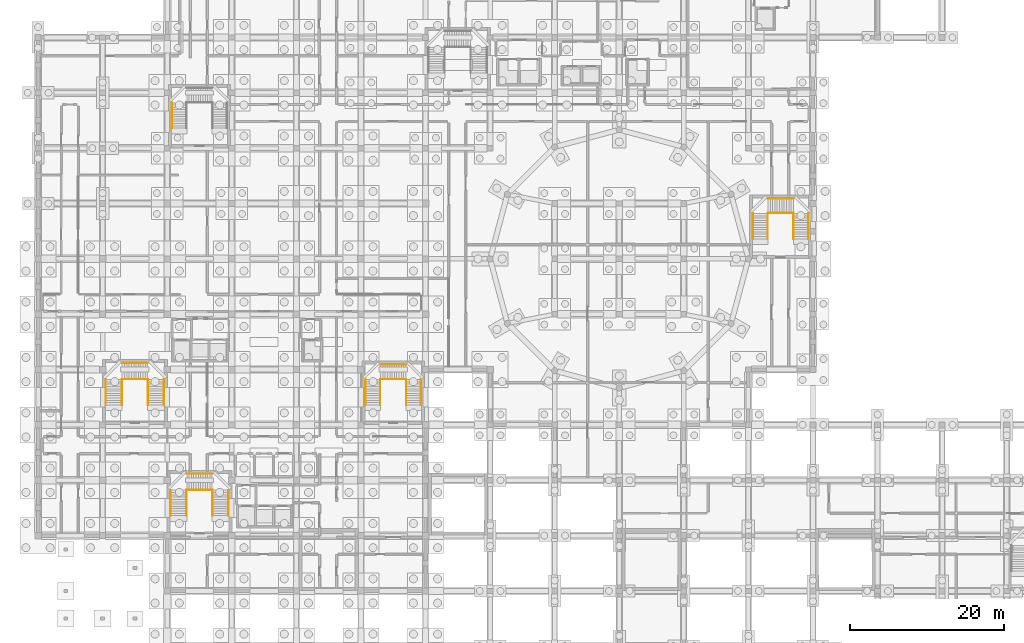
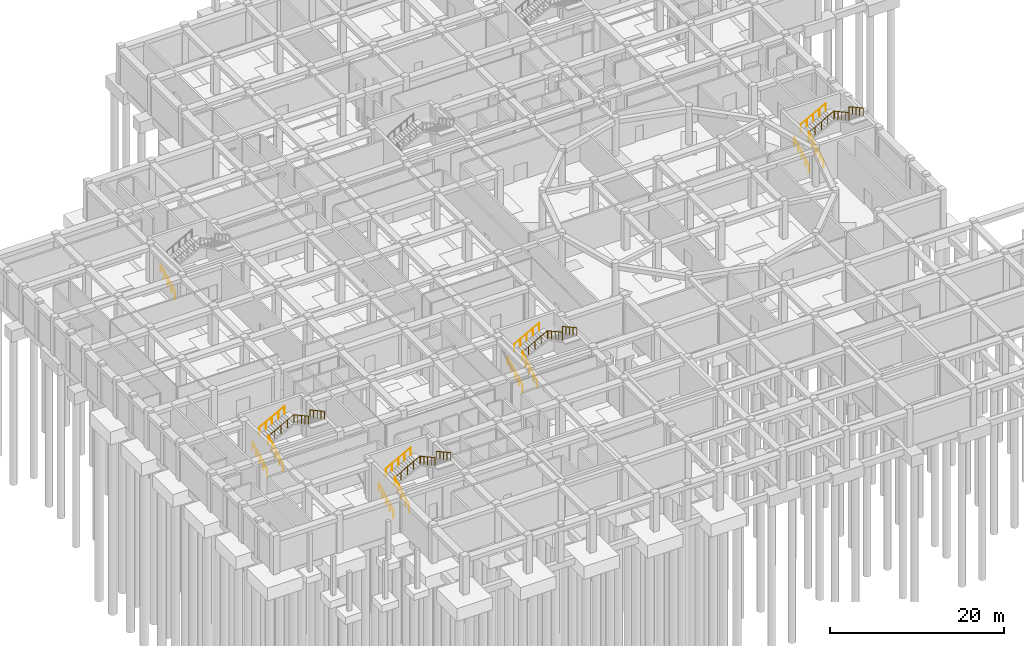
# One storey, part 30 of 32: 25 railings.
"""IFC4 building model written with IfcOpenShell, lengths in metres."""

from ifc_helpers import new_model, si_unit, derived_unit, direction, frame, origin, origin_2d, place, context, subcontext, project, spatial, circle, extrude, material, type_object, element, save


model = new_model("IFC4")

# Units and contexts
model_context = context("Model", 3, precision=1e-05, world=origin(), true_north=direction((0.0, 1.0)))
body_context = subcontext(model_context, "Body", "Model", "MODEL_VIEW")
ifc_project = project(units=[si_unit("LENGTHUNIT", "METRE"), si_unit("AREAUNIT", "SQUARE_METRE"), si_unit("VOLUMEUNIT", "CUBIC_METRE"), si_unit("PLANEANGLEUNIT", "RADIAN"), si_unit("MASSUNIT", "GRAM", prefix="KILO"), derived_unit("THERMALTRANSMITTANCEUNIT", [(si_unit("POWERUNIT", "WATT"), 1), (si_unit("LENGTHUNIT", "METRE"), -2), (si_unit("THERMODYNAMICTEMPERATUREUNIT", "KELVIN"), -1)])], contexts=[model_context])

# Site, building, storey
site_placement = place(None, origin())
site = spatial("IfcSite", under=ifc_project, at=site_placement, CompositionType="ELEMENT")
building_placement = place(site_placement, origin())
building = spatial("IfcBuilding", under=site, at=building_placement, Name="Veybourne Emporium", CompositionType="ELEMENT")
storey_placement = place(building_placement, frame((0.0, 0.0, -5.39990234375)))
storey = spatial("IfcBuildingStorey", under=building, at=storey_placement, Name="B1", CompositionType="ELEMENT", Elevation=-5.39990234375)

# Railings
ifc_material = material(Name="Brushed Stainless Steel", Category="steel")
railing_type_1 = type_object("IfcRailingType", Name="Guard_GR-01", PredefinedType="GUARDRAIL", material=ifc_material)
railing_1_placement = place(storey_placement, frame((19.31005859375, 17.0, 0.0)))
element("IfcRailing", 1, at=railing_1_placement, inside=storey, type_object=railing_type_1, Name="B1 ST-01 stair guard 1", PredefinedType="GUARDRAIL", context=body_context, shape_type="SweptSolid", body=[
    extrude(circle(Radius=0.02392578125, at=origin_2d()), frame((0.0, 0.0, 1.1259765625), z_axis=(0.0, 0.877920393143, 0.478806624122), x_axis=(-1.0, 0.0, 0.0)), (0.0, 0.0, 1.0), 3.759033203125),
    extrude(circle(Radius=0.02392578125, at=origin_2d()), frame((0.0, 3.300048828125, 2.92578125), z_axis=(0.0, 1.0, 0.0), x_axis=(-1.0, 0.0, 0.0)), (0.0, 0.0, 1.0), 0.0400390625),
    extrude(circle(Radius=0.02099609375, at=origin_2d()), origin(), (0.0, 0.0, 1.0), 1.101806640625),
    extrude(circle(Radius=0.02099609375, at=origin_2d()), frame((0.0, 0.824951171875, 0.449951171875)), (0.0, 0.0, 1.0), 1.101806640625),
    extrude(circle(Radius=0.02099609375, at=origin_2d()), frame((0.0, 1.64990234375, 0.89990234375)), (0.0, 0.0, 1.0), 1.101806640625),
    extrude(circle(Radius=0.02099609375, at=origin_2d()), frame((0.0, 2.47509765625, 1.349853515625)), (0.0, 0.0, 1.0), 1.101806640625),
    extrude(circle(Radius=0.02099609375, at=origin_2d()), frame((0.0, 3.300048828125, 1.7998046875)), (0.0, 0.0, 1.0), 1.101806640625),
    extrude(circle(Radius=0.02099609375, at=origin_2d()), frame((0.0, 3.340087890625, 1.7998046875)), (0.0, 0.0, 1.0), 1.101806640625),
])
railing_2_placement = place(storey_placement, frame((19.31005859375, 20.340087890625, 1.7998046875)))
element("IfcRailing", 2, at=railing_2_placement, inside=storey, type_object=railing_type_1, Name="B1 ST-01 stair guard 2", PredefinedType="GUARDRAIL", context=body_context, shape_type="SweptSolid", body=[
    extrude(circle(Radius=0.02392578125, at=origin_2d()), frame((0.0, 0.0, 1.1259765625), z_axis=(0.880287138734, 0.0, 0.47444130657), x_axis=(0.0, 1.0, 0.0)), (0.0, 0.0, 1.0), 3.7939453125),
    extrude(circle(Radius=0.02392578125, at=origin_2d()), frame((3.33984375, 0.0, 2.92578125), z_axis=(1.0, 0.0, 0.0), x_axis=(0.0, 1.0, 0.0)), (0.0, 0.0, 1.0), 0.0400390625),
    extrude(circle(Radius=0.02099609375, at=origin_2d()), origin(), (0.0, 0.0, 1.0), 1.101806640625),
    extrude(circle(Radius=0.02099609375, at=origin_2d()), frame((0.8349609375, 0.0, 0.449951171875)), (0.0, 0.0, 1.0), 1.101806640625),
    extrude(circle(Radius=0.02099609375, at=origin_2d()), frame((1.669921875, 0.0, 0.89990234375)), (0.0, 0.0, 1.0), 1.101806640625),
    extrude(circle(Radius=0.02099609375, at=origin_2d()), frame((2.5048828125, 0.0, 1.35009765625)), (0.0, 0.0, 1.0), 1.101806640625),
    extrude(circle(Radius=0.02099609375, at=origin_2d()), frame((3.33984375, 0.0, 1.800048828125)), (0.0, 0.0, 1.0), 1.101806640625),
    extrude(circle(Radius=0.02099609375, at=origin_2d()), frame((3.3798828125, 0.0, 1.800048828125)), (0.0, 0.0, 1.0), 1.101806640625),
])
railing_3_placement = place(storey_placement, frame((22.68994140625, 20.340087890625, 3.599853515625)))
element("IfcRailing", 3, at=railing_3_placement, inside=storey, type_object=railing_type_1, Name="B1 ST-01 stair guard 3", PredefinedType="GUARDRAIL", context=body_context, shape_type="SweptSolid", body=[
    extrude(circle(Radius=0.02392578125, at=origin_2d()), frame((0.0, 0.0, 1.1259765625), z_axis=(0.0, -1.0, 0.0), x_axis=(1.0, 0.0, 0.0)), (0.0, 0.0, 1.0), 0.0400390625),
    extrude(circle(Radius=0.02392578125, at=origin_2d()), frame((0.0, -0.0400390625, 1.1259765625), z_axis=(0.0, -0.877893090839, 0.478856681124), x_axis=(1.0, 0.0, 0.0)), (0.0, 0.0, 1.0), 3.759033203125),
    extrude(circle(Radius=0.02099609375, at=origin_2d()), origin(), (0.0, 0.0, 1.0), 1.101806640625),
    extrude(circle(Radius=0.02099609375, at=origin_2d()), frame((0.0, -0.0400390625, 0.0)), (0.0, 0.0, 1.0), 1.101806640625),
    extrude(circle(Radius=0.02099609375, at=origin_2d()), frame((0.0, -0.864990234375, 0.449951171875)), (0.0, 0.0, 1.0), 1.101806640625),
    extrude(circle(Radius=0.02099609375, at=origin_2d()), frame((0.0, -1.68994140625, 0.89990234375)), (0.0, 0.0, 1.0), 1.101806640625),
    extrude(circle(Radius=0.02099609375, at=origin_2d()), frame((0.0, -2.51513671875, 1.35009765625)), (0.0, 0.0, 1.0), 1.101806640625),
    extrude(circle(Radius=0.02099609375, at=origin_2d()), frame((0.0, -3.340087890625, 1.800048828125)), (0.0, 0.0, 1.0), 1.101806640625),
])
railing_4_placement = place(storey_placement, frame((10.909912109375, 31.39990234375, 0.0)))
element("IfcRailing", 4, at=railing_4_placement, inside=storey, type_object=railing_type_1, Name="B1 ST-02 stair guard 1", PredefinedType="GUARDRAIL", context=body_context, shape_type="SweptSolid", body=[
    extrude(circle(Radius=0.02392578125, at=origin_2d()), frame((0.0, 0.0, 1.1259765625), z_axis=(0.0, 0.877920393143, 0.478806624122), x_axis=(-1.0, 0.0, 0.0)), (0.0, 0.0, 1.0), 3.759033203125),
    extrude(circle(Radius=0.02392578125, at=origin_2d()), frame((0.0, 3.300048828125, 2.92578125), z_axis=(0.0, 1.0, 0.0), x_axis=(-1.0, 0.0, 0.0)), (0.0, 0.0, 1.0), 0.0400390625),
    extrude(circle(Radius=0.02099609375, at=origin_2d()), origin(), (0.0, 0.0, 1.0), 1.101806640625),
    extrude(circle(Radius=0.02099609375, at=origin_2d()), frame((0.0, 0.824951171875, 0.449951171875)), (0.0, 0.0, 1.0), 1.101806640625),
    extrude(circle(Radius=0.02099609375, at=origin_2d()), frame((0.0, 1.64990234375, 0.89990234375)), (0.0, 0.0, 1.0), 1.101806640625),
    extrude(circle(Radius=0.02099609375, at=origin_2d()), frame((0.0, 2.47509765625, 1.349853515625)), (0.0, 0.0, 1.0), 1.101806640625),
    extrude(circle(Radius=0.02099609375, at=origin_2d()), frame((0.0, 3.300048828125, 1.7998046875)), (0.0, 0.0, 1.0), 1.101806640625),
    extrude(circle(Radius=0.02099609375, at=origin_2d()), frame((0.0, 3.340087890625, 1.7998046875)), (0.0, 0.0, 1.0), 1.101806640625),
])
railing_5_placement = place(storey_placement, frame((10.909912109375, 34.739990234375, 1.7998046875)))
element("IfcRailing", 5, at=railing_5_placement, inside=storey, type_object=railing_type_1, Name="B1 ST-02 stair guard 2", PredefinedType="GUARDRAIL", context=body_context, shape_type="SweptSolid", body=[
    extrude(circle(Radius=0.02392578125, at=origin_2d()), frame((0.0, 0.0, 1.1259765625), z_axis=(0.880301621994, 0.0, 0.47441443308), x_axis=(0.0, 1.0, 0.0)), (0.0, 0.0, 1.0), 3.794189453125),
    extrude(circle(Radius=0.02392578125, at=origin_2d()), frame((3.340087890625, 0.0, 2.92578125), z_axis=(1.0, 0.0, 0.0), x_axis=(0.0, 1.0, 0.0)), (0.0, 0.0, 1.0), 0.0400390625),
    extrude(circle(Radius=0.02099609375, at=origin_2d()), origin(), (0.0, 0.0, 1.0), 1.101806640625),
    extrude(circle(Radius=0.02099609375, at=origin_2d()), frame((0.8349609375, 0.0, 0.449951171875)), (0.0, 0.0, 1.0), 1.101806640625),
    extrude(circle(Radius=0.02099609375, at=origin_2d()), frame((1.669921875, 0.0, 0.89990234375)), (0.0, 0.0, 1.0), 1.101806640625),
    extrude(circle(Radius=0.02099609375, at=origin_2d()), frame((2.505126953125, 0.0, 1.35009765625)), (0.0, 0.0, 1.0), 1.101806640625),
    extrude(circle(Radius=0.02099609375, at=origin_2d()), frame((3.340087890625, 0.0, 1.800048828125)), (0.0, 0.0, 1.0), 1.101806640625),
    extrude(circle(Radius=0.02099609375, at=origin_2d()), frame((3.380126953125, 0.0, 1.800048828125)), (0.0, 0.0, 1.0), 1.101806640625),
])
railing_6_placement = place(storey_placement, frame((14.2900390625, 34.739990234375, 3.599853515625)))
element("IfcRailing", 6, at=railing_6_placement, inside=storey, type_object=railing_type_1, Name="B1 ST-02 stair guard 3", PredefinedType="GUARDRAIL", context=body_context, shape_type="SweptSolid", body=[
    extrude(circle(Radius=0.02392578125, at=origin_2d()), frame((0.0, 0.0, 1.1259765625), z_axis=(0.0, -1.0, 0.0), x_axis=(1.0, 0.0, 0.0)), (0.0, 0.0, 1.0), 0.0400390625),
    extrude(circle(Radius=0.02392578125, at=origin_2d()), frame((0.0, -0.0400390625, 1.1259765625), z_axis=(0.0, -0.877893090839, 0.478856681124), x_axis=(1.0, 0.0, 0.0)), (0.0, 0.0, 1.0), 3.759033203125),
    extrude(circle(Radius=0.02099609375, at=origin_2d()), origin(), (0.0, 0.0, 1.0), 1.101806640625),
    extrude(circle(Radius=0.02099609375, at=origin_2d()), frame((0.0, -0.0400390625, 0.0)), (0.0, 0.0, 1.0), 1.101806640625),
    extrude(circle(Radius=0.02099609375, at=origin_2d()), frame((0.0, -0.864990234375, 0.449951171875)), (0.0, 0.0, 1.0), 1.101806640625),
    extrude(circle(Radius=0.02099609375, at=origin_2d()), frame((0.0, -1.68994140625, 0.89990234375)), (0.0, 0.0, 1.0), 1.101806640625),
    extrude(circle(Radius=0.02099609375, at=origin_2d()), frame((0.0, -2.51513671875, 1.35009765625)), (0.0, 0.0, 1.0), 1.101806640625),
    extrude(circle(Radius=0.02099609375, at=origin_2d()), frame((0.0, -3.340087890625, 1.800048828125)), (0.0, 0.0, 1.0), 1.101806640625),
])
railing_7_placement = place(storey_placement, frame((44.510009765625, 31.39990234375, 0.0)))
element("IfcRailing", 7, at=railing_7_placement, inside=storey, type_object=railing_type_1, Name="B1 ST-05 stair guard 1", PredefinedType="GUARDRAIL", context=body_context, shape_type="SweptSolid", body=[
    extrude(circle(Radius=0.02392578125, at=origin_2d()), frame((0.0, 0.0, 1.1259765625), z_axis=(0.0, 0.877920393143, 0.478806624122), x_axis=(-1.0, 0.0, 0.0)), (0.0, 0.0, 1.0), 3.759033203125),
    extrude(circle(Radius=0.02392578125, at=origin_2d()), frame((0.0, 3.300048828125, 2.92578125), z_axis=(0.0, 1.0, 0.0), x_axis=(-1.0, 0.0, 0.0)), (0.0, 0.0, 1.0), 0.0400390625),
    extrude(circle(Radius=0.02099609375, at=origin_2d()), origin(), (0.0, 0.0, 1.0), 1.101806640625),
    extrude(circle(Radius=0.02099609375, at=origin_2d()), frame((0.0, 0.824951171875, 0.449951171875)), (0.0, 0.0, 1.0), 1.101806640625),
    extrude(circle(Radius=0.02099609375, at=origin_2d()), frame((0.0, 1.64990234375, 0.89990234375)), (0.0, 0.0, 1.0), 1.101806640625),
    extrude(circle(Radius=0.02099609375, at=origin_2d()), frame((0.0, 2.47509765625, 1.349853515625)), (0.0, 0.0, 1.0), 1.101806640625),
    extrude(circle(Radius=0.02099609375, at=origin_2d()), frame((0.0, 3.300048828125, 1.7998046875)), (0.0, 0.0, 1.0), 1.101806640625),
    extrude(circle(Radius=0.02099609375, at=origin_2d()), frame((0.0, 3.340087890625, 1.7998046875)), (0.0, 0.0, 1.0), 1.101806640625),
])
railing_8_placement = place(storey_placement, frame((44.510009765625, 34.739990234375, 1.7998046875)))
element("IfcRailing", 8, at=railing_8_placement, inside=storey, type_object=railing_type_1, Name="B1 ST-05 stair guard 2", PredefinedType="GUARDRAIL", context=body_context, shape_type="SweptSolid", body=[
    extrude(circle(Radius=0.02392578125, at=origin_2d()), frame((0.0, 0.0, 1.1259765625), z_axis=(0.880301621994, 0.0, 0.47441443308), x_axis=(0.0, 1.0, 0.0)), (0.0, 0.0, 1.0), 3.794189453125),
    extrude(circle(Radius=0.02392578125, at=origin_2d()), frame((3.340087890625, 0.0, 2.92578125), z_axis=(1.0, 0.0, 0.0), x_axis=(0.0, 1.0, 0.0)), (0.0, 0.0, 1.0), 0.039794921875),
    extrude(circle(Radius=0.02099609375, at=origin_2d()), origin(), (0.0, 0.0, 1.0), 1.101806640625),
    extrude(circle(Radius=0.02099609375, at=origin_2d()), frame((0.8349609375, 0.0, 0.449951171875)), (0.0, 0.0, 1.0), 1.101806640625),
    extrude(circle(Radius=0.02099609375, at=origin_2d()), frame((1.669921875, 0.0, 0.89990234375)), (0.0, 0.0, 1.0), 1.101806640625),
    extrude(circle(Radius=0.02099609375, at=origin_2d()), frame((2.505126953125, 0.0, 1.35009765625)), (0.0, 0.0, 1.0), 1.101806640625),
    extrude(circle(Radius=0.02099609375, at=origin_2d()), frame((3.340087890625, 0.0, 1.800048828125)), (0.0, 0.0, 1.0), 1.101806640625),
    extrude(circle(Radius=0.02099609375, at=origin_2d()), frame((3.3798828125, 0.0, 1.800048828125)), (0.0, 0.0, 1.0), 1.101806640625),
])
railing_9_placement = place(storey_placement, frame((47.889892578125, 34.739990234375, 3.599853515625)))
element("IfcRailing", 9, at=railing_9_placement, inside=storey, type_object=railing_type_1, Name="B1 ST-05 stair guard 3", PredefinedType="GUARDRAIL", context=body_context, shape_type="SweptSolid", body=[
    extrude(circle(Radius=0.02392578125, at=origin_2d()), frame((0.0, 0.0, 1.1259765625), z_axis=(0.0, -1.0, 0.0), x_axis=(1.0, 0.0, 0.0)), (0.0, 0.0, 1.0), 0.0400390625),
    extrude(circle(Radius=0.02392578125, at=origin_2d()), frame((0.0, -0.0400390625, 1.1259765625), z_axis=(0.0, -0.877893090839, 0.478856681124), x_axis=(1.0, 0.0, 0.0)), (0.0, 0.0, 1.0), 3.759033203125),
    extrude(circle(Radius=0.02099609375, at=origin_2d()), origin(), (0.0, 0.0, 1.0), 1.101806640625),
    extrude(circle(Radius=0.02099609375, at=origin_2d()), frame((0.0, -0.0400390625, 0.0)), (0.0, 0.0, 1.0), 1.101806640625),
    extrude(circle(Radius=0.02099609375, at=origin_2d()), frame((0.0, -0.864990234375, 0.449951171875)), (0.0, 0.0, 1.0), 1.101806640625),
    extrude(circle(Radius=0.02099609375, at=origin_2d()), frame((0.0, -1.68994140625, 0.89990234375)), (0.0, 0.0, 1.0), 1.101806640625),
    extrude(circle(Radius=0.02099609375, at=origin_2d()), frame((0.0, -2.51513671875, 1.35009765625)), (0.0, 0.0, 1.0), 1.101806640625),
    extrude(circle(Radius=0.02099609375, at=origin_2d()), frame((0.0, -3.340087890625, 1.800048828125)), (0.0, 0.0, 1.0), 1.101806640625),
])
railing_10_placement = place(storey_placement, frame((94.909912109375, 53.0, 0.0)))
element("IfcRailing", 10, at=railing_10_placement, inside=storey, type_object=railing_type_1, Name="B1 ST-07 stair guard 1", PredefinedType="GUARDRAIL", context=body_context, shape_type="SweptSolid", body=[
    extrude(circle(Radius=0.02392578125, at=origin_2d()), frame((0.0, 0.0, 1.1259765625), z_axis=(0.0, 0.877920393143, 0.478806624122), x_axis=(-1.0, 0.0, 0.0)), (0.0, 0.0, 1.0), 3.759033203125),
    extrude(circle(Radius=0.02392578125, at=origin_2d()), frame((0.0, 3.300048828125, 2.92578125), z_axis=(0.0, 1.0, 0.0), x_axis=(-1.0, 0.0, 0.0)), (0.0, 0.0, 1.0), 0.0400390625),
    extrude(circle(Radius=0.02099609375, at=origin_2d()), origin(), (0.0, 0.0, 1.0), 1.101806640625),
    extrude(circle(Radius=0.02099609375, at=origin_2d()), frame((0.0, 0.824951171875, 0.449951171875)), (0.0, 0.0, 1.0), 1.101806640625),
    extrude(circle(Radius=0.02099609375, at=origin_2d()), frame((0.0, 1.64990234375, 0.89990234375)), (0.0, 0.0, 1.0), 1.101806640625),
    extrude(circle(Radius=0.02099609375, at=origin_2d()), frame((0.0, 2.47509765625, 1.349853515625)), (0.0, 0.0, 1.0), 1.101806640625),
    extrude(circle(Radius=0.02099609375, at=origin_2d()), frame((0.0, 3.300048828125, 1.7998046875)), (0.0, 0.0, 1.0), 1.101806640625),
    extrude(circle(Radius=0.02099609375, at=origin_2d()), frame((0.0, 3.340087890625, 1.7998046875)), (0.0, 0.0, 1.0), 1.101806640625),
])
railing_11_placement = place(storey_placement, frame((94.909912109375, 56.340087890625, 1.7998046875)))
element("IfcRailing", 11, at=railing_11_placement, inside=storey, type_object=railing_type_1, Name="B1 ST-07 stair guard 2", PredefinedType="GUARDRAIL", context=body_context, shape_type="SweptSolid", body=[
    extrude(circle(Radius=0.02392578125, at=origin_2d()), frame((0.0, 0.0, 1.1259765625), z_axis=(0.880301621994, 0.0, 0.47441443308), x_axis=(0.0, 1.0, 0.0)), (0.0, 0.0, 1.0), 3.794189453125),
    extrude(circle(Radius=0.02392578125, at=origin_2d()), frame((3.340087890625, 0.0, 2.92578125), z_axis=(1.0, 0.0, 0.0), x_axis=(0.0, 1.0, 0.0)), (0.0, 0.0, 1.0), 0.0400390625),
    extrude(circle(Radius=0.02099609375, at=origin_2d()), origin(), (0.0, 0.0, 1.0), 1.101806640625),
    extrude(circle(Radius=0.02099609375, at=origin_2d()), frame((0.8349609375, 0.0, 0.449951171875)), (0.0, 0.0, 1.0), 1.101806640625),
    extrude(circle(Radius=0.02099609375, at=origin_2d()), frame((1.669921875, 0.0, 0.89990234375)), (0.0, 0.0, 1.0), 1.101806640625),
    extrude(circle(Radius=0.02099609375, at=origin_2d()), frame((2.505126953125, 0.0, 1.35009765625)), (0.0, 0.0, 1.0), 1.101806640625),
    extrude(circle(Radius=0.02099609375, at=origin_2d()), frame((3.340087890625, 0.0, 1.800048828125)), (0.0, 0.0, 1.0), 1.101806640625),
    extrude(circle(Radius=0.02099609375, at=origin_2d()), frame((3.380126953125, 0.0, 1.800048828125)), (0.0, 0.0, 1.0), 1.101806640625),
])
railing_12_placement = place(storey_placement, frame((98.2900390625, 56.340087890625, 3.599853515625)))
element("IfcRailing", 12, at=railing_12_placement, inside=storey, type_object=railing_type_1, Name="B1 ST-07 stair guard 3", PredefinedType="GUARDRAIL", context=body_context, shape_type="SweptSolid", body=[
    extrude(circle(Radius=0.02392578125, at=origin_2d()), frame((0.0, 0.0, 1.1259765625), z_axis=(0.0, -1.0, 0.0), x_axis=(1.0, 0.0, 0.0)), (0.0, 0.0, 1.0), 0.0400390625),
    extrude(circle(Radius=0.02392578125, at=origin_2d()), frame((0.0, -0.0400390625, 1.1259765625), z_axis=(0.0, -0.877893090839, 0.478856681124), x_axis=(1.0, 0.0, 0.0)), (0.0, 0.0, 1.0), 3.759033203125),
    extrude(circle(Radius=0.02099609375, at=origin_2d()), origin(), (0.0, 0.0, 1.0), 1.101806640625),
    extrude(circle(Radius=0.02099609375, at=origin_2d()), frame((0.0, -0.0400390625, 0.0)), (0.0, 0.0, 1.0), 1.101806640625),
    extrude(circle(Radius=0.02099609375, at=origin_2d()), frame((0.0, -0.864990234375, 0.449951171875)), (0.0, 0.0, 1.0), 1.101806640625),
    extrude(circle(Radius=0.02099609375, at=origin_2d()), frame((0.0, -1.68994140625, 0.89990234375)), (0.0, 0.0, 1.0), 1.101806640625),
    extrude(circle(Radius=0.02099609375, at=origin_2d()), frame((0.0, -2.51513671875, 1.35009765625)), (0.0, 0.0, 1.0), 1.101806640625),
    extrude(circle(Radius=0.02099609375, at=origin_2d()), frame((0.0, -3.340087890625, 1.800048828125)), (0.0, 0.0, 1.0), 1.101806640625),
])
railing_type_2 = type_object("IfcRailingType", Name="Handrail_HR-01", PredefinedType="HANDRAIL", material=ifc_material)
railing_13_placement = place(storey_placement, frame((17.2099609375, 17.0, 0.14990234375)))
element("IfcRailing", 13, at=railing_13_placement, inside=storey, type_object=railing_type_2, Name="B1 ST-01 pitch handrail 1", PredefinedType="HANDRAIL", context=body_context, shape_type="SweptSolid", body=[
    extrude(circle(Radius=0.02392578125, at=origin_2d()), frame((0.0, 0.0, 0.92578125), z_axis=(0.0, 0.877893090839, 0.478856681124), x_axis=(-1.0, 0.0, 0.0)), (0.0, 0.0, 1.0), 3.759033203125),
    extrude(circle(Radius=0.02099609375, at=origin_2d()), frame((0.0, 0.0, -0.14990234375)), (0.0, 0.0, 1.0), 1.0517578125),
    extrude(circle(Radius=0.02099609375, at=origin_2d()), frame((0.0, 0.824951171875, 0.300048828125)), (0.0, 0.0, 1.0), 1.0517578125),
    extrude(circle(Radius=0.02099609375, at=origin_2d()), frame((0.0, 1.64990234375, 0.75)), (0.0, 0.0, 1.0), 1.0517578125),
    extrude(circle(Radius=0.02099609375, at=origin_2d()), frame((0.0, 2.47509765625, 1.2001953125)), (0.0, 0.0, 1.0), 1.0517578125),
    extrude(circle(Radius=0.02099609375, at=origin_2d()), frame((0.0, 3.300048828125, 1.650146484375)), (0.0, 0.0, 1.0), 1.0517578125),
])
railing_14_placement = place(storey_placement, frame((19.35009765625, 22.43994140625, 1.949951171875)))
element("IfcRailing", 14, at=railing_14_placement, inside=storey, type_object=railing_type_2, Name="B1 ST-01 pitch handrail 2", PredefinedType="HANDRAIL", context=body_context, shape_type="SweptSolid", body=[
    extrude(circle(Radius=0.02392578125, at=origin_2d()), frame((0.0, 0.0, 0.92578125), z_axis=(0.8778781969, 0.0, 0.478883985332), x_axis=(0.0, 1.0, 0.0)), (0.0, 0.0, 1.0), 3.7587890625),
    extrude(circle(Radius=0.02099609375, at=origin_2d()), frame((0.0, 0.0, -0.14990234375)), (0.0, 0.0, 1.0), 1.0517578125),
    extrude(circle(Radius=0.02099609375, at=origin_2d()), frame((0.824951171875, 0.0, 0.300048828125)), (0.0, 0.0, 1.0), 1.0517578125),
    extrude(circle(Radius=0.02099609375, at=origin_2d()), frame((1.64990234375, 0.0, 0.75)), (0.0, 0.0, 1.0), 1.0517578125),
    extrude(circle(Radius=0.02099609375, at=origin_2d()), frame((2.474853515625, 0.0, 1.2001953125)), (0.0, 0.0, 1.0), 1.0517578125),
    extrude(circle(Radius=0.02099609375, at=origin_2d()), frame((3.2998046875, 0.0, 1.650146484375)), (0.0, 0.0, 1.0), 1.0517578125),
])
railing_15_placement = place(storey_placement, frame((24.7900390625, 20.300048828125, 3.75)))
element("IfcRailing", 15, at=railing_15_placement, inside=storey, type_object=railing_type_2, Name="B1 ST-01 pitch handrail 3", PredefinedType="HANDRAIL", context=body_context, shape_type="SweptSolid", body=[
    extrude(circle(Radius=0.02392578125, at=origin_2d()), frame((0.0, 0.0, 0.92578125), z_axis=(0.0, -0.877920393143, 0.478806624122), x_axis=(1.0, 0.0, 0.0)), (0.0, 0.0, 1.0), 3.759033203125),
    extrude(circle(Radius=0.02099609375, at=origin_2d()), frame((0.0, 0.0, -0.14990234375)), (0.0, 0.0, 1.0), 1.0517578125),
    extrude(circle(Radius=0.02099609375, at=origin_2d()), frame((0.0, -0.824951171875, 0.300048828125)), (0.0, 0.0, 1.0), 1.0517578125),
    extrude(circle(Radius=0.02099609375, at=origin_2d()), frame((0.0, -1.64990234375, 0.75)), (0.0, 0.0, 1.0), 1.0517578125),
    extrude(circle(Radius=0.02099609375, at=origin_2d()), frame((0.0, -2.47509765625, 1.199951171875)), (0.0, 0.0, 1.0), 1.0517578125),
    extrude(circle(Radius=0.02099609375, at=origin_2d()), frame((0.0, -3.300048828125, 1.64990234375)), (0.0, 0.0, 1.0), 1.0517578125),
])
railing_16_placement = place(storey_placement, frame((8.81005859375, 31.39990234375, 0.14990234375)))
element("IfcRailing", 16, at=railing_16_placement, inside=storey, type_object=railing_type_2, Name="B1 ST-02 pitch handrail 1", PredefinedType="HANDRAIL", context=body_context, shape_type="SweptSolid", body=[
    extrude(circle(Radius=0.02392578125, at=origin_2d()), frame((0.0, 0.0, 0.92578125), z_axis=(0.0, 0.877893090839, 0.478856681124), x_axis=(-1.0, 0.0, 0.0)), (0.0, 0.0, 1.0), 3.759033203125),
    extrude(circle(Radius=0.02099609375, at=origin_2d()), frame((0.0, 0.0, -0.14990234375)), (0.0, 0.0, 1.0), 1.0517578125),
    extrude(circle(Radius=0.02099609375, at=origin_2d()), frame((0.0, 0.824951171875, 0.300048828125)), (0.0, 0.0, 1.0), 1.0517578125),
    extrude(circle(Radius=0.02099609375, at=origin_2d()), frame((0.0, 1.64990234375, 0.75)), (0.0, 0.0, 1.0), 1.0517578125),
    extrude(circle(Radius=0.02099609375, at=origin_2d()), frame((0.0, 2.47509765625, 1.2001953125)), (0.0, 0.0, 1.0), 1.0517578125),
    extrude(circle(Radius=0.02099609375, at=origin_2d()), frame((0.0, 3.300048828125, 1.650146484375)), (0.0, 0.0, 1.0), 1.0517578125),
])
railing_17_placement = place(storey_placement, frame((10.949951171875, 36.840087890625, 1.949951171875)))
element("IfcRailing", 17, at=railing_17_placement, inside=storey, type_object=railing_type_2, Name="B1 ST-02 pitch handrail 2", PredefinedType="HANDRAIL", context=body_context, shape_type="SweptSolid", body=[
    extrude(circle(Radius=0.02392578125, at=origin_2d()), frame((0.0, 0.0, 0.92578125), z_axis=(0.877893090839, 0.0, 0.478856681124), x_axis=(0.0, 1.0, 0.0)), (0.0, 0.0, 1.0), 3.759033203125),
    extrude(circle(Radius=0.02099609375, at=origin_2d()), frame((0.0, 0.0, -0.14990234375)), (0.0, 0.0, 1.0), 1.0517578125),
    extrude(circle(Radius=0.02099609375, at=origin_2d()), frame((0.824951171875, 0.0, 0.300048828125)), (0.0, 0.0, 1.0), 1.0517578125),
    extrude(circle(Radius=0.02099609375, at=origin_2d()), frame((1.64990234375, 0.0, 0.75)), (0.0, 0.0, 1.0), 1.0517578125),
    extrude(circle(Radius=0.02099609375, at=origin_2d()), frame((2.47509765625, 0.0, 1.2001953125)), (0.0, 0.0, 1.0), 1.0517578125),
    extrude(circle(Radius=0.02099609375, at=origin_2d()), frame((3.300048828125, 0.0, 1.650146484375)), (0.0, 0.0, 1.0), 1.0517578125),
])
railing_18_placement = place(storey_placement, frame((16.389892578125, 34.699951171875, 3.75)))
element("IfcRailing", 18, at=railing_18_placement, inside=storey, type_object=railing_type_2, Name="B1 ST-02 pitch handrail 3", PredefinedType="HANDRAIL", context=body_context, shape_type="SweptSolid", body=[
    extrude(circle(Radius=0.02392578125, at=origin_2d()), frame((0.0, 0.0, 0.92578125), z_axis=(0.0, -0.877920393143, 0.478806624122), x_axis=(1.0, 0.0, 0.0)), (0.0, 0.0, 1.0), 3.759033203125),
    extrude(circle(Radius=0.02099609375, at=origin_2d()), frame((0.0, 0.0, -0.14990234375)), (0.0, 0.0, 1.0), 1.0517578125),
    extrude(circle(Radius=0.02099609375, at=origin_2d()), frame((0.0, -0.824951171875, 0.300048828125)), (0.0, 0.0, 1.0), 1.0517578125),
    extrude(circle(Radius=0.02099609375, at=origin_2d()), frame((0.0, -1.64990234375, 0.75)), (0.0, 0.0, 1.0), 1.0517578125),
    extrude(circle(Radius=0.02099609375, at=origin_2d()), frame((0.0, -2.47509765625, 1.199951171875)), (0.0, 0.0, 1.0), 1.0517578125),
    extrude(circle(Radius=0.02099609375, at=origin_2d()), frame((0.0, -3.300048828125, 1.64990234375)), (0.0, 0.0, 1.0), 1.0517578125),
])
railing_19_placement = place(storey_placement, frame((42.610107421875, 31.39990234375, 0.14990234375)))
element("IfcRailing", 19, at=railing_19_placement, inside=storey, type_object=railing_type_2, Name="B1 ST-05 pitch handrail 1", PredefinedType="HANDRAIL", context=body_context, shape_type="SweptSolid", body=[
    extrude(circle(Radius=0.02392578125, at=origin_2d()), frame((0.0, 0.0, 0.92578125), z_axis=(0.0, 0.877893090839, 0.478856681124), x_axis=(-1.0, 0.0, 0.0)), (0.0, 0.0, 1.0), 3.759033203125),
    extrude(circle(Radius=0.02099609375, at=origin_2d()), frame((0.0, 0.0, -0.14990234375)), (0.0, 0.0, 1.0), 1.0517578125),
    extrude(circle(Radius=0.02099609375, at=origin_2d()), frame((0.0, 0.824951171875, 0.300048828125)), (0.0, 0.0, 1.0), 1.0517578125),
    extrude(circle(Radius=0.02099609375, at=origin_2d()), frame((0.0, 1.64990234375, 0.75)), (0.0, 0.0, 1.0), 1.0517578125),
    extrude(circle(Radius=0.02099609375, at=origin_2d()), frame((0.0, 2.47509765625, 1.2001953125)), (0.0, 0.0, 1.0), 1.0517578125),
    extrude(circle(Radius=0.02099609375, at=origin_2d()), frame((0.0, 3.300048828125, 1.650146484375)), (0.0, 0.0, 1.0), 1.0517578125),
])
railing_20_placement = place(storey_placement, frame((44.550048828125, 36.639892578125, 1.949951171875)))
element("IfcRailing", 20, at=railing_20_placement, inside=storey, type_object=railing_type_2, Name="B1 ST-05 pitch handrail 2", PredefinedType="HANDRAIL", context=body_context, shape_type="SweptSolid", body=[
    extrude(circle(Radius=0.02392578125, at=origin_2d()), frame((0.0, 0.0, 0.92578125), z_axis=(0.877893090839, 0.0, 0.478856681124), x_axis=(0.0, 1.0, 0.0)), (0.0, 0.0, 1.0), 3.759033203125),
    extrude(circle(Radius=0.02099609375, at=origin_2d()), frame((0.0, 0.0, -0.14990234375)), (0.0, 0.0, 1.0), 1.0517578125),
    extrude(circle(Radius=0.02099609375, at=origin_2d()), frame((0.824951171875, 0.0, 0.300048828125)), (0.0, 0.0, 1.0), 1.0517578125),
    extrude(circle(Radius=0.02099609375, at=origin_2d()), frame((1.64990234375, 0.0, 0.75)), (0.0, 0.0, 1.0), 1.0517578125),
    extrude(circle(Radius=0.02099609375, at=origin_2d()), frame((2.47509765625, 0.0, 1.2001953125)), (0.0, 0.0, 1.0), 1.0517578125),
    extrude(circle(Radius=0.02099609375, at=origin_2d()), frame((3.300048828125, 0.0, 1.650146484375)), (0.0, 0.0, 1.0), 1.0517578125),
])
railing_21_placement = place(storey_placement, frame((49.7900390625, 34.699951171875, 3.75)))
element("IfcRailing", 21, at=railing_21_placement, inside=storey, type_object=railing_type_2, Name="B1 ST-05 pitch handrail 3", PredefinedType="HANDRAIL", context=body_context, shape_type="SweptSolid", body=[
    extrude(circle(Radius=0.02392578125, at=origin_2d()), frame((0.0, 0.0, 0.92578125), z_axis=(0.0, -0.877920393143, 0.478806624122), x_axis=(1.0, 0.0, 0.0)), (0.0, 0.0, 1.0), 3.759033203125),
    extrude(circle(Radius=0.02099609375, at=origin_2d()), frame((0.0, 0.0, -0.14990234375)), (0.0, 0.0, 1.0), 1.0517578125),
    extrude(circle(Radius=0.02099609375, at=origin_2d()), frame((0.0, -0.824951171875, 0.300048828125)), (0.0, 0.0, 1.0), 1.0517578125),
    extrude(circle(Radius=0.02099609375, at=origin_2d()), frame((0.0, -1.64990234375, 0.75)), (0.0, 0.0, 1.0), 1.0517578125),
    extrude(circle(Radius=0.02099609375, at=origin_2d()), frame((0.0, -2.47509765625, 1.199951171875)), (0.0, 0.0, 1.0), 1.0517578125),
    extrude(circle(Radius=0.02099609375, at=origin_2d()), frame((0.0, -3.300048828125, 1.64990234375)), (0.0, 0.0, 1.0), 1.0517578125),
])
railing_22_placement = place(storey_placement, frame((93.010009765625, 53.0, 0.14990234375)))
element("IfcRailing", 22, at=railing_22_placement, inside=storey, type_object=railing_type_2, Name="B1 ST-07 pitch handrail 1", PredefinedType="HANDRAIL", context=body_context, shape_type="SweptSolid", body=[
    extrude(circle(Radius=0.02392578125, at=origin_2d()), frame((0.0, 0.0, 0.92578125), z_axis=(0.0, 0.877893090839, 0.478856681124), x_axis=(-1.0, 0.0, 0.0)), (0.0, 0.0, 1.0), 3.759033203125),
    extrude(circle(Radius=0.02099609375, at=origin_2d()), frame((0.0, 0.0, -0.14990234375)), (0.0, 0.0, 1.0), 1.0517578125),
    extrude(circle(Radius=0.02099609375, at=origin_2d()), frame((0.0, 0.824951171875, 0.300048828125)), (0.0, 0.0, 1.0), 1.0517578125),
    extrude(circle(Radius=0.02099609375, at=origin_2d()), frame((0.0, 1.64990234375, 0.75)), (0.0, 0.0, 1.0), 1.0517578125),
    extrude(circle(Radius=0.02099609375, at=origin_2d()), frame((0.0, 2.47509765625, 1.2001953125)), (0.0, 0.0, 1.0), 1.0517578125),
    extrude(circle(Radius=0.02099609375, at=origin_2d()), frame((0.0, 3.300048828125, 1.650146484375)), (0.0, 0.0, 1.0), 1.0517578125),
])
railing_23_placement = place(storey_placement, frame((94.949951171875, 58.239990234375, 1.949951171875)))
element("IfcRailing", 23, at=railing_23_placement, inside=storey, type_object=railing_type_2, Name="B1 ST-07 pitch handrail 2", PredefinedType="HANDRAIL", context=body_context, shape_type="SweptSolid", body=[
    extrude(circle(Radius=0.02392578125, at=origin_2d()), frame((0.0, 0.0, 0.92578125), z_axis=(0.877893090839, 0.0, 0.478856681124), x_axis=(0.0, 1.0, 0.0)), (0.0, 0.0, 1.0), 3.759033203125),
    extrude(circle(Radius=0.02099609375, at=origin_2d()), frame((0.0, 0.0, -0.14990234375)), (0.0, 0.0, 1.0), 1.0517578125),
    extrude(circle(Radius=0.02099609375, at=origin_2d()), frame((0.824951171875, 0.0, 0.300048828125)), (0.0, 0.0, 1.0), 1.0517578125),
    extrude(circle(Radius=0.02099609375, at=origin_2d()), frame((1.64990234375, 0.0, 0.75)), (0.0, 0.0, 1.0), 1.0517578125),
    extrude(circle(Radius=0.02099609375, at=origin_2d()), frame((2.47509765625, 0.0, 1.2001953125)), (0.0, 0.0, 1.0), 1.0517578125),
    extrude(circle(Radius=0.02099609375, at=origin_2d()), frame((3.300048828125, 0.0, 1.650146484375)), (0.0, 0.0, 1.0), 1.0517578125),
])
railing_24_placement = place(storey_placement, frame((100.18994140625, 56.300048828125, 3.75)))
element("IfcRailing", 24, at=railing_24_placement, inside=storey, type_object=railing_type_2, Name="B1 ST-07 pitch handrail 3", PredefinedType="HANDRAIL", context=body_context, shape_type="SweptSolid", body=[
    extrude(circle(Radius=0.02392578125, at=origin_2d()), frame((0.0, 0.0, 0.92578125), z_axis=(0.0, -0.877920393143, 0.478806624122), x_axis=(1.0, 0.0, 0.0)), (0.0, 0.0, 1.0), 3.759033203125),
    extrude(circle(Radius=0.02099609375, at=origin_2d()), frame((0.0, 0.0, -0.14990234375)), (0.0, 0.0, 1.0), 1.0517578125),
    extrude(circle(Radius=0.02099609375, at=origin_2d()), frame((0.0, -0.824951171875, 0.300048828125)), (0.0, 0.0, 1.0), 1.0517578125),
    extrude(circle(Radius=0.02099609375, at=origin_2d()), frame((0.0, -1.64990234375, 0.75)), (0.0, 0.0, 1.0), 1.0517578125),
    extrude(circle(Radius=0.02099609375, at=origin_2d()), frame((0.0, -2.47509765625, 1.199951171875)), (0.0, 0.0, 1.0), 1.0517578125),
    extrude(circle(Radius=0.02099609375, at=origin_2d()), frame((0.0, -3.300048828125, 1.64990234375)), (0.0, 0.0, 1.0), 1.0517578125),
])
railing_25_placement = place(storey_placement, frame((17.409912109375, 67.39990234375, 0.14990234375)))
element("IfcRailing", 25, at=railing_25_placement, inside=storey, type_object=railing_type_2, Name="B1 ST-08 pitch handrail 1", PredefinedType="HANDRAIL", context=body_context, shape_type="SweptSolid", body=[
    extrude(circle(Radius=0.02392578125, at=origin_2d()), frame((0.0, 0.0, 0.92578125), z_axis=(0.0, 0.877893090839, 0.478856681124), x_axis=(-1.0, 0.0, 0.0)), (0.0, 0.0, 1.0), 3.759033203125),
    extrude(circle(Radius=0.02099609375, at=origin_2d()), frame((0.0, 0.0, -0.14990234375)), (0.0, 0.0, 1.0), 1.0517578125),
    extrude(circle(Radius=0.02099609375, at=origin_2d()), frame((0.0, 0.824951171875, 0.300048828125)), (0.0, 0.0, 1.0), 1.0517578125),
    extrude(circle(Radius=0.02099609375, at=origin_2d()), frame((0.0, 1.64990234375, 0.75)), (0.0, 0.0, 1.0), 1.0517578125),
    extrude(circle(Radius=0.02099609375, at=origin_2d()), frame((0.0, 2.47509765625, 1.2001953125)), (0.0, 0.0, 1.0), 1.0517578125),
    extrude(circle(Radius=0.02099609375, at=origin_2d()), frame((0.0, 3.300048828125, 1.650146484375)), (0.0, 0.0, 1.0), 1.0517578125),
])

save(model, "model.ifc")
